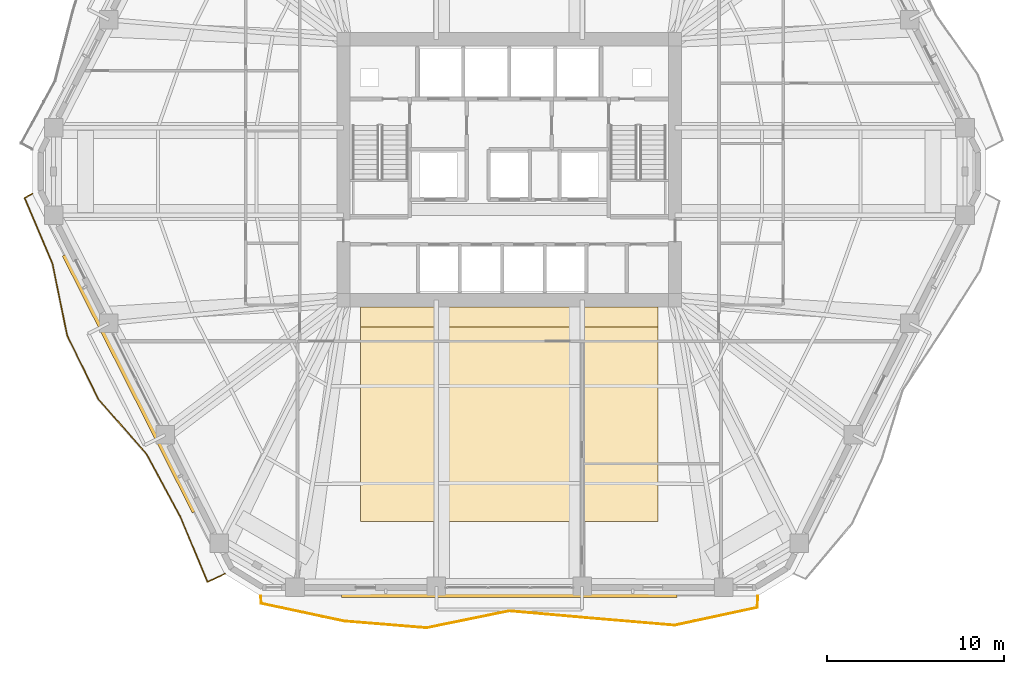
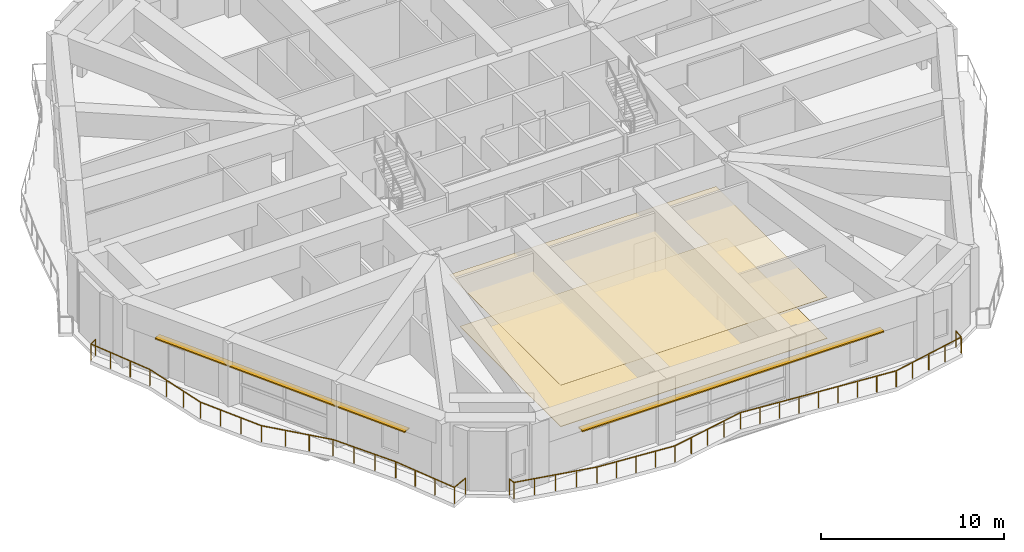
# One storey, part 20 of 23: 2 coverings, 2 railings, 2 shading devices.
"""IFC4 building model written with IfcOpenShell, lengths in metres."""

from ifc_helpers import new_model, si_unit, direction, frame, origin, origin_2d, place, context, subcontext, project, spatial, polyline, rectangle, outline, extrude, material, layer, layer_set, type_object, element, save


model = new_model("IFC4")

# Units and contexts
model_context = context("Model", 3, precision=1e-05, world=origin(), true_north=direction((0.0, 1.0)))
body_context = subcontext(model_context, "Body", "Model", "MODEL_VIEW")
ifc_project = project(units=[si_unit("LENGTHUNIT", "METRE"), si_unit("AREAUNIT", "SQUARE_METRE"), si_unit("VOLUMEUNIT", "CUBIC_METRE"), si_unit("PLANEANGLEUNIT", "RADIAN"), si_unit("MASSUNIT", "GRAM", prefix="KILO")], contexts=[model_context])

# Site, building, storey
site_placement = place(None, origin())
site = spatial("IfcSite", under=ifc_project, at=site_placement, CompositionType="ELEMENT")
building_placement = place(site_placement, origin())
building = spatial("IfcBuilding", under=site, at=building_placement, Name="Cinnabar Lancet Tower", CompositionType="ELEMENT")
storey_placement = place(building_placement, frame((0.0, 0.0, 94.199951171875)))
storey = spatial("IfcBuildingStorey", under=building, at=storey_placement, Name="L24", CompositionType="ELEMENT", Elevation=94.199951171875)

# Coverings
ifc_material_1 = material(Name="Acoustic perforated gypsum ceiling board", Category="finish")
ifc_layer_1 = layer(ifc_material_1, 0.01806640625)
ifc_layer_set_1 = layer_set([ifc_layer_1], Name="Acoustic perforated gypsum ceiling board")
covering_type_1 = type_object("IfcCoveringType", Name="ARC-COV-CEIL-GYP", PredefinedType="CEILING", material=ifc_layer_set_1)
covering_1_placement = place(storey_placement, frame((0.0, 0.0, 2.75)))
element("IfcCovering", 1, at=covering_1_placement, inside=storey, type_object=covering_type_1, Name="L24 Suspended Acoustic Ceiling", PredefinedType="CEILING", context=body_context, shape_type="SweptSolid", body=[
    extrude(outline(polyline([(24.0, 6.0), (40.800048828125, 6.0), (40.800048828125, 18.14990234375), (24.0, 18.14990234375), (24.0, 6.0)])), origin(), (0.0, 0.0, 1.0), 0.01806640625),
])
ifc_material_2 = material(Name="Honed Malaysian granite stone flooring", Category="masonry")
ifc_layer_2 = layer(ifc_material_2, 0.030029296875)
ifc_layer_set_2 = layer_set([ifc_layer_2], Name="Honed Malaysian granite stone flooring")
covering_type_2 = type_object("IfcCoveringType", Name="ARC-COV-FLR-STN", PredefinedType="FLOORING", material=ifc_layer_set_2)
covering_2_placement = place(storey_placement, origin())
element("IfcCovering", 2, at=covering_2_placement, inside=storey, type_object=covering_type_2, Name="L24 Architectural Floor Finish", PredefinedType="FLOORING", context=body_context, shape_type="SweptSolid", body=[
    extrude(outline(polyline([(24.0, 6.0), (40.800048828125, 6.0), (40.800048828125, 17.0), (24.0, 17.0), (24.0, 6.0)])), origin(), (0.0, 0.0, 1.0), 0.030029296875),
])

# Railings
ifc_material_3 = material(Name="Laminated safety glass and bronze stainless steel balustrade", Category="steel")
railing_type = type_object("IfcRailingType", Name="ENV-RLG-BAL-1100", PredefinedType="BALUSTRADE", material=ifc_material_3)
railing_1_placement = place(storey_placement, frame((18.343994140625, 1.800048828125, 0.0)))
element("IfcRailing", 3, at=railing_1_placement, inside=storey, type_object=railing_type, Name="L24 Face 1 Wave Balcony Balustrade", PredefinedType="BALUSTRADE", context=body_context, shape_type="SweptSolid", body=[
    extrude(rectangle(XDim=0.048095703125, YDim=0.048095703125, at=origin_2d()), frame((0.0, 0.0, 1.076171875), z_axis=(0.081861032024, -0.996643753523, 0.0), x_axis=(0.996643753523, 0.081861032024, 0.0)), (0.0, 0.0, 1.0), 0.426513671875),
    extrude(rectangle(XDim=0.048095703125, YDim=0.048095703125, at=origin_2d()), frame((0.034912109375, -0.425048828125, 1.076171875), z_axis=(0.978037289497, -0.208429989091, 0.0), x_axis=(0.208429989091, 0.978037289497, 0.0)), (0.0, 0.0, 1.0), 4.779052734375),
    extrude(rectangle(XDim=0.048095703125, YDim=0.048095703125, at=origin_2d()), frame((4.708984375, -1.421142578125, 1.076171875), z_axis=(0.996679789355, -0.081421112069, 0.0), x_axis=(0.081421112069, 0.996679789355, 0.0)), (0.0, 0.0, 1.0), 4.689697265625),
    extrude(rectangle(XDim=0.048095703125, YDim=0.048095703125, at=origin_2d()), frame((9.383056640625, -1.802978515625, 1.076171875), z_axis=(0.979755112462, 0.200199699312, 0.0), x_axis=(-0.200199699312, 0.979755112462, 0.0)), (0.0, 0.0, 1.0), 4.769287109375),
    extrude(rectangle(XDim=0.048095703125, YDim=0.048095703125, at=origin_2d()), frame((14.055908203125, -0.84814453125, 1.076171875), z_axis=(0.996118716773, -0.088019896016, 0.0), x_axis=(0.088019896016, 0.996118716773, 0.0)), (0.0, 0.0, 1.0), 4.6904296875),
    extrude(rectangle(XDim=0.048095703125, YDim=0.048095703125, at=origin_2d()), frame((18.72802734375, -1.260986328125, 1.076171875), z_axis=(0.996414265802, -0.084608574662, 0.0), x_axis=(0.084608574662, 0.996414265802, 0.0)), (0.0, 0.0, 1.0), 4.69189453125),
    extrude(rectangle(XDim=0.048095703125, YDim=0.048095703125, at=origin_2d()), frame((23.403076171875, -1.657958984375, 1.076171875), z_axis=(0.977658694273, 0.210198662016, 0.0), x_axis=(-0.210198662016, 0.977658694273, 0.0)), (0.0, 0.0, 1.0), 4.780517578125),
    extrude(rectangle(XDim=0.048095703125, YDim=0.048095703125, at=origin_2d()), frame((28.076904296875, -0.653076171875, 1.076171875), z_axis=(0.053753946337, 0.998554211474, 0.0), x_axis=(-0.998554211474, 0.053753946337, 0.0)), (0.0, 0.0, 1.0), 0.654052734375),
    extrude(rectangle(XDim=0.0419921875, YDim=0.0419921875, at=origin_2d()), origin(), (0.0, 0.0, 1.0), 1.052001953125),
    extrude(rectangle(XDim=0.0419921875, YDim=0.0419921875, at=origin_2d()), frame((0.034912109375, -0.425048828125, 0.0)), (0.0, 0.0, 1.0), 1.052001953125),
    extrude(rectangle(XDim=0.0419921875, YDim=0.0419921875, at=origin_2d()), frame((1.203369140625, -0.674072265625, 0.0)), (0.0, 0.0, 1.0), 1.052001953125),
    extrude(rectangle(XDim=0.0419921875, YDim=0.0419921875, at=origin_2d()), frame((2.3720703125, -0.923095703125, 0.0)), (0.0, 0.0, 1.0), 1.052001953125),
    extrude(rectangle(XDim=0.0419921875, YDim=0.0419921875, at=origin_2d()), frame((3.54052734375, -1.172119140625, 0.0)), (0.0, 0.0, 1.0), 1.052001953125),
    extrude(rectangle(XDim=0.0419921875, YDim=0.0419921875, at=origin_2d()), frame((4.708984375, -1.421142578125, 0.0)), (0.0, 0.0, 1.0), 1.052001953125),
    extrude(rectangle(XDim=0.0419921875, YDim=0.0419921875, at=origin_2d()), frame((5.87744140625, -1.5166015625, 0.0)), (0.0, 0.0, 1.0), 1.052001953125),
    extrude(rectangle(XDim=0.0419921875, YDim=0.0419921875, at=origin_2d()), frame((7.0458984375, -1.612060546875, 0.0)), (0.0, 0.0, 1.0), 1.052001953125),
    extrude(rectangle(XDim=0.0419921875, YDim=0.0419921875, at=origin_2d()), frame((8.214599609375, -1.70751953125, 0.0)), (0.0, 0.0, 1.0), 1.052001953125),
    extrude(rectangle(XDim=0.0419921875, YDim=0.0419921875, at=origin_2d()), frame((9.383056640625, -1.802978515625, 0.0)), (0.0, 0.0, 1.0), 1.052001953125),
    extrude(rectangle(XDim=0.0419921875, YDim=0.0419921875, at=origin_2d()), frame((10.55126953125, -1.564208984375, 0.0)), (0.0, 0.0, 1.0), 1.052001953125),
    extrude(rectangle(XDim=0.0419921875, YDim=0.0419921875, at=origin_2d()), frame((11.719482421875, -1.32568359375, 0.0)), (0.0, 0.0, 1.0), 1.052001953125),
    extrude(rectangle(XDim=0.0419921875, YDim=0.0419921875, at=origin_2d()), frame((12.8876953125, -1.0869140625, 0.0)), (0.0, 0.0, 1.0), 1.052001953125),
    extrude(rectangle(XDim=0.0419921875, YDim=0.0419921875, at=origin_2d()), frame((14.055908203125, -0.84814453125, 0.0)), (0.0, 0.0, 1.0), 1.052001953125),
    extrude(rectangle(XDim=0.0419921875, YDim=0.0419921875, at=origin_2d()), frame((15.223876953125, -0.951416015625, 0.0)), (0.0, 0.0, 1.0), 1.052001953125),
    extrude(rectangle(XDim=0.0419921875, YDim=0.0419921875, at=origin_2d()), frame((16.39208984375, -1.0546875, 0.0)), (0.0, 0.0, 1.0), 1.052001953125),
    extrude(rectangle(XDim=0.0419921875, YDim=0.0419921875, at=origin_2d()), frame((17.56005859375, -1.15771484375, 0.0)), (0.0, 0.0, 1.0), 1.052001953125),
    extrude(rectangle(XDim=0.0419921875, YDim=0.0419921875, at=origin_2d()), frame((18.72802734375, -1.260986328125, 0.0)), (0.0, 0.0, 1.0), 1.052001953125),
    extrude(rectangle(XDim=0.0419921875, YDim=0.0419921875, at=origin_2d()), frame((19.896728515625, -1.3603515625, 0.0)), (0.0, 0.0, 1.0), 1.052001953125),
    extrude(rectangle(XDim=0.0419921875, YDim=0.0419921875, at=origin_2d()), frame((21.0654296875, -1.45947265625, 0.0)), (0.0, 0.0, 1.0), 1.052001953125),
    extrude(rectangle(XDim=0.0419921875, YDim=0.0419921875, at=origin_2d()), frame((22.234375, -1.55859375, 0.0)), (0.0, 0.0, 1.0), 1.052001953125),
    extrude(rectangle(XDim=0.0419921875, YDim=0.0419921875, at=origin_2d()), frame((23.403076171875, -1.657958984375, 0.0)), (0.0, 0.0, 1.0), 1.052001953125),
    extrude(rectangle(XDim=0.0419921875, YDim=0.0419921875, at=origin_2d()), frame((24.571533203125, -1.40673828125, 0.0)), (0.0, 0.0, 1.0), 1.052001953125),
    extrude(rectangle(XDim=0.0419921875, YDim=0.0419921875, at=origin_2d()), frame((25.739990234375, -1.155517578125, 0.0)), (0.0, 0.0, 1.0), 1.052001953125),
    extrude(rectangle(XDim=0.0419921875, YDim=0.0419921875, at=origin_2d()), frame((26.908447265625, -0.904296875, 0.0)), (0.0, 0.0, 1.0), 1.052001953125),
    extrude(rectangle(XDim=0.0419921875, YDim=0.0419921875, at=origin_2d()), frame((28.076904296875, -0.653076171875, 0.0)), (0.0, 0.0, 1.0), 1.052001953125),
    extrude(rectangle(XDim=0.0419921875, YDim=0.0419921875, at=origin_2d()), frame((28.112060546875, 0.0, 0.0)), (0.0, 0.0, 1.0), 1.052001953125),
])
railing_2_placement = place(storey_placement, frame((5.431884765625, 24.551025390625, 0.0)))
element("IfcRailing", 4, at=railing_2_placement, inside=storey, type_object=railing_type, Name="L24 Face 6 Wave Balcony Balustrade", PredefinedType="BALUSTRADE", context=body_context, shape_type="SweptSolid", body=[
    extrude(rectangle(XDim=0.048095703125, YDim=0.048095703125, at=origin_2d()), frame((0.0, 0.0, 1.076171875), z_axis=(-0.865592986541, -0.500748221815, 0.0), x_axis=(0.500748221815, -0.865592986541, 0.0)), (0.0, 0.0, 1.0), 0.501220703125),
    extrude(rectangle(XDim=0.048095703125, YDim=0.048095703125, at=origin_2d()), frame((-0.433837890625, -0.2509765625, 1.076171875), z_axis=(0.390637269321, -0.920544688659, 0.0), x_axis=(0.920544688659, 0.390637269321, 0.0)), (0.0, 0.0, 1.0), 4.01611328125),
    extrude(rectangle(XDim=0.048095703125, YDim=0.048095703125, at=origin_2d()), frame((1.135009765625, -3.947998046875, 1.076171875), z_axis=(0.200602722378, -0.979672673792, 0.0), x_axis=(0.979672673792, 0.200602722378, 0.0)), (0.0, 0.0, 1.0), 4.152587890625),
    extrude(rectangle(XDim=0.048095703125, YDim=0.048095703125, at=origin_2d()), frame((1.968017578125, -8.01611328125, 1.076171875), z_axis=(0.438929149172, -0.89852167587, 0.0), x_axis=(0.89852167587, 0.438929149172, 0.0)), (0.0, 0.0, 1.0), 4.00537109375),
    extrude(rectangle(XDim=0.048095703125, YDim=0.048095703125, at=origin_2d()), frame((3.72607421875, -11.614990234375, 1.076171875), z_axis=(0.660199372359, -0.751090399843, 0.0), x_axis=(0.751090399843, 0.660199372359, 0.0)), (0.0, 0.0, 1.0), 4.136474609375),
    extrude(rectangle(XDim=0.048095703125, YDim=0.048095703125, at=origin_2d()), frame((6.45703125, -14.721923828125, 1.076171875), z_axis=(0.47436862266, -0.880326308727, 0.0), x_axis=(0.880326308727, 0.47436862266, 0.0)), (0.0, 0.0, 1.0), 4.0078125),
    extrude(rectangle(XDim=0.048095703125, YDim=0.048095703125, at=origin_2d()), frame((8.358154296875, -18.25, 1.076171875), z_axis=(0.385046582166, -0.92289713921, 0.0), x_axis=(0.92289713921, 0.385046582166, 0.0)), (0.0, 0.0, 1.0), 4.02001953125),
    extrude(rectangle(XDim=0.048095703125, YDim=0.048095703125, at=origin_2d()), frame((9.906005859375, -21.9599609375, 1.076171875), z_axis=(0.904962573789, 0.425491175045, 0.0), x_axis=(-0.425491175045, 0.904962573789, 0.0)), (0.0, 0.0, 1.0), 1.076416015625),
    extrude(rectangle(XDim=0.0419921875, YDim=0.0419921875, at=origin_2d()), origin(), (0.0, 0.0, 1.0), 1.052001953125),
    extrude(rectangle(XDim=0.0419921875, YDim=0.0419921875, at=origin_2d()), frame((-0.433837890625, -0.2509765625, 0.0)), (0.0, 0.0, 1.0), 1.052001953125),
    extrude(rectangle(XDim=0.0419921875, YDim=0.0419921875, at=origin_2d()), frame((0.089111328125, -1.4833984375, 0.0)), (0.0, 0.0, 1.0), 1.052001953125),
    extrude(rectangle(XDim=0.0419921875, YDim=0.0419921875, at=origin_2d()), frame((0.612060546875, -2.715576171875, 0.0)), (0.0, 0.0, 1.0), 1.052001953125),
    extrude(rectangle(XDim=0.0419921875, YDim=0.0419921875, at=origin_2d()), frame((1.135009765625, -3.947998046875, 0.0)), (0.0, 0.0, 1.0), 1.052001953125),
    extrude(rectangle(XDim=0.0419921875, YDim=0.0419921875, at=origin_2d()), frame((1.41259765625, -5.303955078125, 0.0)), (0.0, 0.0, 1.0), 1.052001953125),
    extrude(rectangle(XDim=0.0419921875, YDim=0.0419921875, at=origin_2d()), frame((1.6904296875, -6.66015625, 0.0)), (0.0, 0.0, 1.0), 1.052001953125),
    extrude(rectangle(XDim=0.0419921875, YDim=0.0419921875, at=origin_2d()), frame((1.968017578125, -8.01611328125, 0.0)), (0.0, 0.0, 1.0), 1.052001953125),
    extrude(rectangle(XDim=0.0419921875, YDim=0.0419921875, at=origin_2d()), frame((2.553955078125, -9.2158203125, 0.0)), (0.0, 0.0, 1.0), 1.052001953125),
    extrude(rectangle(XDim=0.0419921875, YDim=0.0419921875, at=origin_2d()), frame((3.14013671875, -10.415283203125, 0.0)), (0.0, 0.0, 1.0), 1.052001953125),
    extrude(rectangle(XDim=0.0419921875, YDim=0.0419921875, at=origin_2d()), frame((3.72607421875, -11.614990234375, 0.0)), (0.0, 0.0, 1.0), 1.052001953125),
    extrude(rectangle(XDim=0.0419921875, YDim=0.0419921875, at=origin_2d()), frame((4.636474609375, -12.650634765625, 0.0)), (0.0, 0.0, 1.0), 1.052001953125),
    extrude(rectangle(XDim=0.0419921875, YDim=0.0419921875, at=origin_2d()), frame((5.546630859375, -13.686279296875, 0.0)), (0.0, 0.0, 1.0), 1.052001953125),
    extrude(rectangle(XDim=0.0419921875, YDim=0.0419921875, at=origin_2d()), frame((6.45703125, -14.721923828125, 0.0)), (0.0, 0.0, 1.0), 1.052001953125),
    extrude(rectangle(XDim=0.0419921875, YDim=0.0419921875, at=origin_2d()), frame((7.0908203125, -15.89794921875, 0.0)), (0.0, 0.0, 1.0), 1.052001953125),
    extrude(rectangle(XDim=0.0419921875, YDim=0.0419921875, at=origin_2d()), frame((7.724365234375, -17.073974609375, 0.0)), (0.0, 0.0, 1.0), 1.052001953125),
    extrude(rectangle(XDim=0.0419921875, YDim=0.0419921875, at=origin_2d()), frame((8.358154296875, -18.25, 0.0)), (0.0, 0.0, 1.0), 1.052001953125),
    extrude(rectangle(XDim=0.0419921875, YDim=0.0419921875, at=origin_2d()), frame((8.8740234375, -19.486572265625, 0.0)), (0.0, 0.0, 1.0), 1.052001953125),
    extrude(rectangle(XDim=0.0419921875, YDim=0.0419921875, at=origin_2d()), frame((9.39013671875, -20.723388671875, 0.0)), (0.0, 0.0, 1.0), 1.052001953125),
    extrude(rectangle(XDim=0.0419921875, YDim=0.0419921875, at=origin_2d()), frame((9.906005859375, -21.9599609375, 0.0)), (0.0, 0.0, 1.0), 1.052001953125),
    extrude(rectangle(XDim=0.0419921875, YDim=0.0419921875, at=origin_2d()), frame((10.880126953125, -21.501953125, 0.0)), (0.0, 0.0, 1.0), 1.052001953125),
])

# Shading devices
ifc_material_4 = material(Name="Pale limestone architectural aluminium sunshade", Category="masonry")
ifc_layer_3 = layer(ifc_material_4, 0.080078125)
ifc_layer_set_3 = layer_set([ifc_layer_3], Name="Pale limestone architectural aluminium sunshade")
shading_device_type = type_object("IfcShadingDeviceType", Name="ENV-SHD-LVR-450", PredefinedType="JALOUSIE", material=ifc_layer_set_3)
shading_device_1_placement = place(storey_placement, frame((32.39990234375, 1.93994140625, 2.639892578125), z_axis=(0.0, 0.0, 1.0), x_axis=(1.0, 0.0, 0.0)))
element("IfcShadingDevice", 5, at=shading_device_1_placement, inside=storey, type_object=shading_device_type, Name="L24 Face 1 Horizontal Sunshade Canopy", PredefinedType="JALOUSIE", context=body_context, shape_type="SweptSolid", body=[
    extrude(rectangle(XDim=18.990966796875, YDim=0.449951171875, at=origin_2d()), origin(), (0.0, 0.0, 1.0), 0.080078125),
])
shading_device_2_placement = place(storey_placement, frame((10.9990234375, 13.861083984375, 2.639892578125), z_axis=(0.0, 0.0, 1.0), x_axis=(0.451500573218, -0.892270829056, 0.0)))
element("IfcShadingDevice", 6, at=shading_device_2_placement, inside=storey, type_object=shading_device_type, Name="L24 Face 6 Horizontal Sunshade Canopy", PredefinedType="JALOUSIE", context=body_context, shape_type="SweptSolid", body=[
    extrude(rectangle(XDim=16.27587890625, YDim=0.449951171875, at=origin_2d()), origin(), (0.0, 0.0, 1.0), 0.080078125),
])

save(model, "model.ifc")
